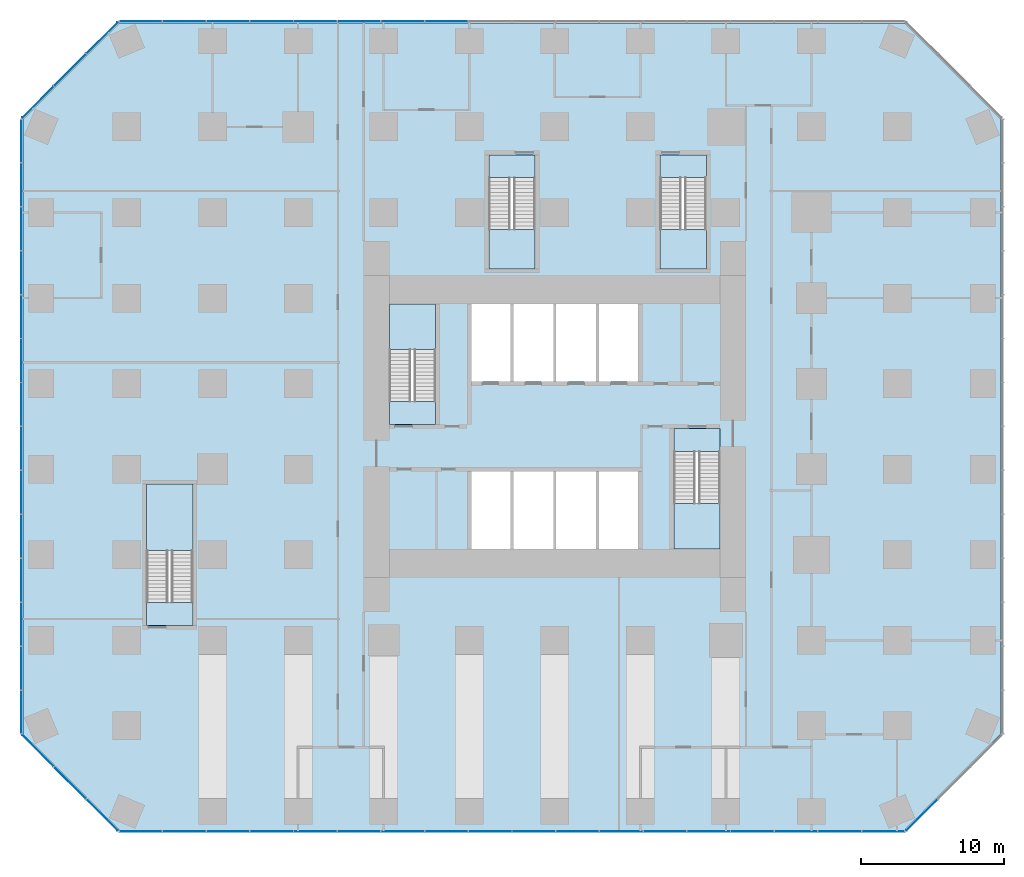
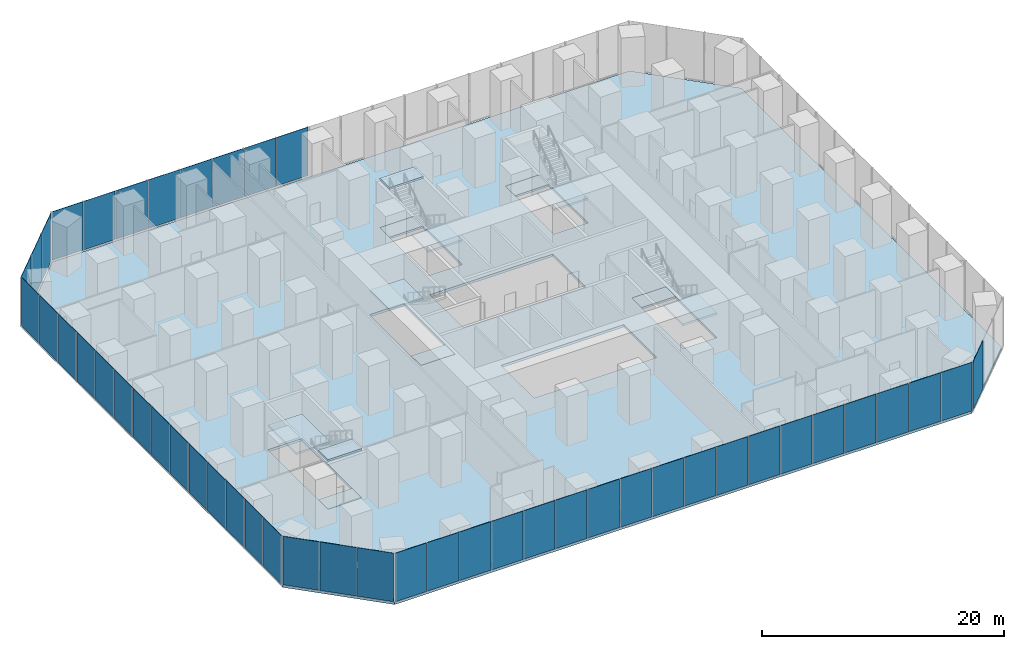
# One storey, part 9 of 15: 47 plates, 13 slabs, 11 elements without a shape of their own.
"""IFC4 building model written with IfcOpenShell, lengths in metres."""

from ifc_helpers import new_model, si_unit, direction, frame, origin, origin_2d, place, context, subcontext, project, spatial, polyline, rectangle, outline, extrude, material, layer, layer_set, type_object, element, aggregate, save


model = new_model("IFC4")

# Units and contexts
model_context = context("Model", 3, precision=1e-05, world=origin(), true_north=direction((0.0, 1.0)))
body_context = subcontext(model_context, "Body", "Model", "MODEL_VIEW")
ifc_project = project(units=[si_unit("LENGTHUNIT", "METRE"), si_unit("AREAUNIT", "SQUARE_METRE"), si_unit("VOLUMEUNIT", "CUBIC_METRE"), si_unit("PLANEANGLEUNIT", "RADIAN"), si_unit("MASSUNIT", "GRAM", prefix="KILO")], contexts=[model_context])

# Site, building, storey
site_placement = place(None, origin())
site = spatial("IfcSite", under=ifc_project, at=site_placement, CompositionType="ELEMENT")
building_placement = place(site_placement, origin())
building = spatial("IfcBuilding", under=site, at=building_placement, Name="Highveld Stack Headquarters", CompositionType="ELEMENT")
storey_placement = place(building_placement, frame((0.0, 0.0, 6.0)))
storey = spatial("IfcBuildingStorey", under=building, at=storey_placement, Name="L01", CompositionType="ELEMENT", Elevation=6.0)

# Curtain wall, plates
ifc_material_1 = material(Name="Aluminium bronze anodised", Category="aluminium")
ifc_layer_1 = layer(ifc_material_1, 0.199951171875)
ifc_layer_set_1 = layer_set([ifc_layer_1], Name="Aluminium bronze anodised")
curtain_wall_type = type_object("IfcCurtainWallType", Name="CW3 PODIUM STICK CURTAIN WALL", PredefinedType="NOTDEFINED", material=ifc_layer_set_1)
curtain_wall_1_placement = place(storey_placement, origin())
curtain_wall_1 = element("IfcCurtainWall", 1, at=curtain_wall_1_placement, inside=storey, type_object=curtain_wall_type, Name="Curtain wall CW3 L01 S", PredefinedType="NOTDEFINED")
ifc_material_2 = material(Name="Glass clear low-iron double glazed unit", Category="glass")
ifc_layer_2 = layer(ifc_material_2, 0.035888671875)
ifc_layer_set_2 = layer_set([ifc_layer_2], Name="Glass clear low-iron double glazed unit")
plate_type = type_object("IfcPlateType", Name="CW3 PANEL CLEAR LOW-IRON DOUBLE GLAZED UNIT", PredefinedType="CURTAIN_PANEL", material=ifc_layer_set_2)
plate_1_placement = place(storey_placement, frame((-23.031494140625, -25.39990234375, 0.10009765625), z_axis=(0.0, 0.0, 1.0), x_axis=(1.0, 0.0, 0.0)))
plate_1 = element("IfcPlate", 2, at=plate_1_placement, type_object=plate_type, Name="CW3 panel L01 1.1", PredefinedType="CURTAIN_PANEL", context=body_context, shape_type="SweptSolid", body=[
    extrude(rectangle(XDim=2.966796875, YDim=0.035888671875, at=origin_2d()), origin(), (0.0, 0.0, 1.0), 4.89990234375),
])
plate_2_placement = place(storey_placement, frame((-19.983154296875, -25.39990234375, 0.10009765625), z_axis=(0.0, 0.0, 1.0), x_axis=(1.0, 0.0, 0.0)))
plate_2 = element("IfcPlate", 3, at=plate_2_placement, type_object=plate_type, Name="CW3 panel L01 2.1", PredefinedType="CURTAIN_PANEL", context=body_context, shape_type="SweptSolid", body=[
    extrude(rectangle(XDim=2.99951171875, YDim=0.035888671875, at=origin_2d()), origin(), (0.0, 0.0, 1.0), 4.89990234375),
])
plate_3_placement = place(storey_placement, frame((-16.918701171875, -25.39990234375, 0.10009765625), z_axis=(0.0, 0.0, 1.0), x_axis=(1.0, 0.0, 0.0)))
plate_3 = element("IfcPlate", 4, at=plate_3_placement, type_object=plate_type, Name="CW3 panel L01 3.1", PredefinedType="CURTAIN_PANEL", context=body_context, shape_type="SweptSolid", body=[
    extrude(rectangle(XDim=2.99951171875, YDim=0.035888671875, at=origin_2d()), origin(), (0.0, 0.0, 1.0), 4.89990234375),
])
plate_4_placement = place(storey_placement, frame((-13.8544921875, -25.39990234375, 0.10009765625), z_axis=(0.0, 0.0, 1.0), x_axis=(1.0, 0.0, 0.0)))
plate_4 = element("IfcPlate", 5, at=plate_4_placement, type_object=plate_type, Name="CW3 panel L01 4.1", PredefinedType="CURTAIN_PANEL", context=body_context, shape_type="SweptSolid", body=[
    extrude(rectangle(XDim=2.99951171875, YDim=0.035888671875, at=origin_2d()), origin(), (0.0, 0.0, 1.0), 4.89990234375),
])
plate_5_placement = place(storey_placement, frame((-10.789794921875, -25.39990234375, 0.10009765625), z_axis=(0.0, 0.0, 1.0), x_axis=(1.0, 0.0, 0.0)))
plate_5 = element("IfcPlate", 6, at=plate_5_placement, type_object=plate_type, Name="CW3 panel L01 5.1", PredefinedType="CURTAIN_PANEL", context=body_context, shape_type="SweptSolid", body=[
    extrude(rectangle(XDim=2.99951171875, YDim=0.035888671875, at=origin_2d()), origin(), (0.0, 0.0, 1.0), 4.89990234375),
])
plate_6_placement = place(storey_placement, frame((-7.7255859375, -25.39990234375, 0.10009765625), z_axis=(0.0, 0.0, 1.0), x_axis=(1.0, 0.0, 0.0)))
plate_6 = element("IfcPlate", 7, at=plate_6_placement, type_object=plate_type, Name="CW3 panel L01 6.1", PredefinedType="CURTAIN_PANEL", context=body_context, shape_type="SweptSolid", body=[
    extrude(rectangle(XDim=2.99951171875, YDim=0.035888671875, at=origin_2d()), origin(), (0.0, 0.0, 1.0), 4.89990234375),
])
plate_7_placement = place(storey_placement, frame((-4.6611328125, -25.39990234375, 0.10009765625), z_axis=(0.0, 0.0, 1.0), x_axis=(1.0, 0.0, 0.0)))
plate_7 = element("IfcPlate", 8, at=plate_7_placement, type_object=plate_type, Name="CW3 panel L01 7.1", PredefinedType="CURTAIN_PANEL", context=body_context, shape_type="SweptSolid", body=[
    extrude(rectangle(XDim=2.99951171875, YDim=0.035888671875, at=origin_2d()), origin(), (0.0, 0.0, 1.0), 4.89990234375),
])
plate_8_placement = place(storey_placement, frame((-1.5966796875, -25.39990234375, 0.10009765625), z_axis=(0.0, 0.0, 1.0), x_axis=(1.0, 0.0, 0.0)))
plate_8 = element("IfcPlate", 9, at=plate_8_placement, type_object=plate_type, Name="CW3 panel L01 8.1", PredefinedType="CURTAIN_PANEL", context=body_context, shape_type="SweptSolid", body=[
    extrude(rectangle(XDim=2.99951171875, YDim=0.035888671875, at=origin_2d()), origin(), (0.0, 0.0, 1.0), 4.89990234375),
])
plate_9_placement = place(storey_placement, frame((1.4677734375, -25.39990234375, 0.10009765625), z_axis=(0.0, 0.0, 1.0), x_axis=(1.0, 0.0, 0.0)))
plate_9 = element("IfcPlate", 10, at=plate_9_placement, type_object=plate_type, Name="CW3 panel L01 9.1", PredefinedType="CURTAIN_PANEL", context=body_context, shape_type="SweptSolid", body=[
    extrude(rectangle(XDim=2.99951171875, YDim=0.035888671875, at=origin_2d()), origin(), (0.0, 0.0, 1.0), 4.89990234375),
])
plate_10_placement = place(storey_placement, frame((4.5322265625, -25.39990234375, 0.10009765625), z_axis=(0.0, 0.0, 1.0), x_axis=(1.0, 0.0, 0.0)))
plate_10 = element("IfcPlate", 11, at=plate_10_placement, type_object=plate_type, Name="CW3 panel L01 10.1", PredefinedType="CURTAIN_PANEL", context=body_context, shape_type="SweptSolid", body=[
    extrude(rectangle(XDim=2.99951171875, YDim=0.035888671875, at=origin_2d()), origin(), (0.0, 0.0, 1.0), 4.89990234375),
])
plate_11_placement = place(storey_placement, frame((7.5966796875, -25.39990234375, 0.10009765625), z_axis=(0.0, 0.0, 1.0), x_axis=(1.0, 0.0, 0.0)))
plate_11 = element("IfcPlate", 12, at=plate_11_placement, type_object=plate_type, Name="CW3 panel L01 11.1", PredefinedType="CURTAIN_PANEL", context=body_context, shape_type="SweptSolid", body=[
    extrude(rectangle(XDim=2.99951171875, YDim=0.035888671875, at=origin_2d()), origin(), (0.0, 0.0, 1.0), 4.89990234375),
])
plate_12_placement = place(storey_placement, frame((10.6611328125, -25.39990234375, 0.10009765625), z_axis=(0.0, 0.0, 1.0), x_axis=(1.0, 0.0, 0.0)))
plate_12 = element("IfcPlate", 13, at=plate_12_placement, type_object=plate_type, Name="CW3 panel L01 12.1", PredefinedType="CURTAIN_PANEL", context=body_context, shape_type="SweptSolid", body=[
    extrude(rectangle(XDim=2.99951171875, YDim=0.035888671875, at=origin_2d()), origin(), (0.0, 0.0, 1.0), 4.89990234375),
])
plate_13_placement = place(storey_placement, frame((13.7255859375, -25.39990234375, 0.10009765625), z_axis=(0.0, 0.0, 1.0), x_axis=(1.0, 0.0, 0.0)))
plate_13 = element("IfcPlate", 14, at=plate_13_placement, type_object=plate_type, Name="CW3 panel L01 13.1", PredefinedType="CURTAIN_PANEL", context=body_context, shape_type="SweptSolid", body=[
    extrude(rectangle(XDim=2.99951171875, YDim=0.035888671875, at=origin_2d()), origin(), (0.0, 0.0, 1.0), 4.89990234375),
])
plate_14_placement = place(storey_placement, frame((16.7900390625, -25.39990234375, 0.10009765625), z_axis=(0.0, 0.0, 1.0), x_axis=(1.0, 0.0, 0.0)))
plate_14 = element("IfcPlate", 15, at=plate_14_placement, type_object=plate_type, Name="CW3 panel L01 14.1", PredefinedType="CURTAIN_PANEL", context=body_context, shape_type="SweptSolid", body=[
    extrude(rectangle(XDim=2.99951171875, YDim=0.035888671875, at=origin_2d()), origin(), (0.0, 0.0, 1.0), 4.89990234375),
])
plate_15_placement = place(storey_placement, frame((19.8544921875, -25.39990234375, 0.10009765625), z_axis=(0.0, 0.0, 1.0), x_axis=(1.0, 0.0, 0.0)))
plate_15 = element("IfcPlate", 16, at=plate_15_placement, type_object=plate_type, Name="CW3 panel L01 15.1", PredefinedType="CURTAIN_PANEL", context=body_context, shape_type="SweptSolid", body=[
    extrude(rectangle(XDim=2.99951171875, YDim=0.035888671875, at=origin_2d()), origin(), (0.0, 0.0, 1.0), 4.89990234375),
])
plate_16_placement = place(storey_placement, frame((22.918701171875, -25.39990234375, 0.10009765625), z_axis=(0.0, 0.0, 1.0), x_axis=(1.0, 0.0, 0.0)))
plate_16 = element("IfcPlate", 17, at=plate_16_placement, type_object=plate_type, Name="CW3 panel L01 16.1", PredefinedType="CURTAIN_PANEL", context=body_context, shape_type="SweptSolid", body=[
    extrude(rectangle(XDim=2.99951171875, YDim=0.035888671875, at=origin_2d()), origin(), (0.0, 0.0, 1.0), 4.89990234375),
])
plate_17_placement = place(storey_placement, frame((25.983154296875, -25.39990234375, 0.10009765625), z_axis=(0.0, 0.0, 1.0), x_axis=(1.0, 0.0, 0.0)))
plate_17 = element("IfcPlate", 18, at=plate_17_placement, type_object=plate_type, Name="CW3 panel L01 17.1", PredefinedType="CURTAIN_PANEL", context=body_context, shape_type="SweptSolid", body=[
    extrude(rectangle(XDim=2.99951171875, YDim=0.035888671875, at=origin_2d()), origin(), (0.0, 0.0, 1.0), 4.89990234375),
])
plate_18_placement = place(storey_placement, frame((29.031494140625, -25.39990234375, 0.10009765625), z_axis=(0.0, 0.0, 1.0), x_axis=(1.0, 0.0, 0.0)))
plate_18 = element("IfcPlate", 19, at=plate_18_placement, type_object=plate_type, Name="CW3 panel L01 18.1", PredefinedType="CURTAIN_PANEL", context=body_context, shape_type="SweptSolid", body=[
    extrude(rectangle(XDim=2.966796875, YDim=0.035888671875, at=origin_2d()), origin(), (0.0, 0.0, 1.0), 4.89990234375),
])
aggregate(curtain_wall_1, [plate_1, plate_2, plate_3, plate_4, plate_5, plate_6, plate_7, plate_8, plate_9, plate_10, plate_11, plate_12, plate_13, plate_14, plate_15, plate_16, plate_17, plate_18])

# Curtain wall, plate
curtain_wall_2_placement = place(storey_placement, origin())
curtain_wall_2 = element("IfcCurtainWall", 20, at=curtain_wall_2_placement, inside=storey, type_object=curtain_wall_type, Name="Curtain wall CW3 L01 SE", PredefinedType="NOTDEFINED")
plate_19_placement = place(storey_placement, frame((31.740478515625, -24.239501953125, 0.10009765625), z_axis=(0.0, 0.0, 1.0), x_axis=(0.707106781187, 0.707106781187, 0.0)))
plate_19 = element("IfcPlate", 21, at=plate_19_placement, type_object=plate_type, Name="CW3 panel L01 1.1", PredefinedType="CURTAIN_PANEL", context=body_context, shape_type="SweptSolid", body=[
    extrude(rectangle(XDim=3.08251953125, YDim=0.035888671875, at=origin_2d()), origin(), (0.0, 0.0, 1.0), 4.89990234375),
])
aggregate(curtain_wall_2, [plate_19])

# Curtain wall, plates
curtain_wall_3_placement = place(storey_placement, origin())
curtain_wall_3 = element("IfcCurtainWall", 22, at=curtain_wall_3_placement, inside=storey, type_object=curtain_wall_type, Name="Curtain wall CW3 L01 N", PredefinedType="NOTDEFINED")
plate_20_placement = place(storey_placement, frame((-1.5966796875, 31.39990234375, 0.10009765625), z_axis=(0.0, 0.0, 1.0), x_axis=(-1.0, 0.0, 0.0)))
plate_20 = element("IfcPlate", 23, at=plate_20_placement, type_object=plate_type, Name="CW3 panel L01 11.1", PredefinedType="CURTAIN_PANEL", context=body_context, shape_type="SweptSolid", body=[
    extrude(rectangle(XDim=2.99951171875, YDim=0.035888671875, at=origin_2d()), origin(), (0.0, 0.0, 1.0), 4.89990234375),
])
plate_21_placement = place(storey_placement, frame((-4.6611328125, 31.39990234375, 0.10009765625), z_axis=(0.0, 0.0, 1.0), x_axis=(-1.0, 0.0, 0.0)))
plate_21 = element("IfcPlate", 24, at=plate_21_placement, type_object=plate_type, Name="CW3 panel L01 12.1", PredefinedType="CURTAIN_PANEL", context=body_context, shape_type="SweptSolid", body=[
    extrude(rectangle(XDim=2.99951171875, YDim=0.035888671875, at=origin_2d()), origin(), (0.0, 0.0, 1.0), 4.89990234375),
])
plate_22_placement = place(storey_placement, frame((-7.7255859375, 31.39990234375, 0.10009765625), z_axis=(0.0, 0.0, 1.0), x_axis=(-1.0, 0.0, 0.0)))
plate_22 = element("IfcPlate", 25, at=plate_22_placement, type_object=plate_type, Name="CW3 panel L01 13.1", PredefinedType="CURTAIN_PANEL", context=body_context, shape_type="SweptSolid", body=[
    extrude(rectangle(XDim=2.99951171875, YDim=0.035888671875, at=origin_2d()), origin(), (0.0, 0.0, 1.0), 4.89990234375),
])
plate_23_placement = place(storey_placement, frame((-10.7900390625, 31.39990234375, 0.10009765625), z_axis=(0.0, 0.0, 1.0), x_axis=(-1.0, 0.0, 0.0)))
plate_23 = element("IfcPlate", 26, at=plate_23_placement, type_object=plate_type, Name="CW3 panel L01 14.1", PredefinedType="CURTAIN_PANEL", context=body_context, shape_type="SweptSolid", body=[
    extrude(rectangle(XDim=2.99951171875, YDim=0.035888671875, at=origin_2d()), origin(), (0.0, 0.0, 1.0), 4.89990234375),
])
plate_24_placement = place(storey_placement, frame((-13.8544921875, 31.39990234375, 0.10009765625), z_axis=(0.0, 0.0, 1.0), x_axis=(-1.0, 0.0, 0.0)))
plate_24 = element("IfcPlate", 27, at=plate_24_placement, type_object=plate_type, Name="CW3 panel L01 15.1", PredefinedType="CURTAIN_PANEL", context=body_context, shape_type="SweptSolid", body=[
    extrude(rectangle(XDim=2.99951171875, YDim=0.035888671875, at=origin_2d()), origin(), (0.0, 0.0, 1.0), 4.89990234375),
])
plate_25_placement = place(storey_placement, frame((-16.918701171875, 31.39990234375, 0.10009765625), z_axis=(0.0, 0.0, 1.0), x_axis=(-1.0, 0.0, 0.0)))
plate_25 = element("IfcPlate", 28, at=plate_25_placement, type_object=plate_type, Name="CW3 panel L01 16.1", PredefinedType="CURTAIN_PANEL", context=body_context, shape_type="SweptSolid", body=[
    extrude(rectangle(XDim=2.99951171875, YDim=0.035888671875, at=origin_2d()), origin(), (0.0, 0.0, 1.0), 4.89990234375),
])
plate_26_placement = place(storey_placement, frame((-19.983154296875, 31.39990234375, 0.10009765625), z_axis=(0.0, 0.0, 1.0), x_axis=(-1.0, 0.0, 0.0)))
plate_26 = element("IfcPlate", 29, at=plate_26_placement, type_object=plate_type, Name="CW3 panel L01 17.1", PredefinedType="CURTAIN_PANEL", context=body_context, shape_type="SweptSolid", body=[
    extrude(rectangle(XDim=2.99951171875, YDim=0.035888671875, at=origin_2d()), origin(), (0.0, 0.0, 1.0), 4.89990234375),
])
plate_27_placement = place(storey_placement, frame((-23.031494140625, 31.39990234375, 0.10009765625), z_axis=(0.0, 0.0, 1.0), x_axis=(-1.0, 0.0, 0.0)))
plate_27 = element("IfcPlate", 30, at=plate_27_placement, type_object=plate_type, Name="CW3 panel L01 18.1", PredefinedType="CURTAIN_PANEL", context=body_context, shape_type="SweptSolid", body=[
    extrude(rectangle(XDim=2.966796875, YDim=0.035888671875, at=origin_2d()), origin(), (0.0, 0.0, 1.0), 4.89990234375),
])
aggregate(curtain_wall_3, [plate_20, plate_21, plate_22, plate_23, plate_24, plate_25, plate_26, plate_27])

curtain_wall_4_placement = place(storey_placement, origin())
curtain_wall_4 = element("IfcCurtainWall", 31, at=curtain_wall_4_placement, inside=storey, type_object=curtain_wall_type, Name="Curtain wall CW3 L01 NW", PredefinedType="NOTDEFINED")
plate_28_placement = place(storey_placement, frame((-25.740478515625, 30.239501953125, 0.10009765625), z_axis=(0.0, 0.0, 1.0), x_axis=(-0.707106781187, -0.707106781187, 0.0)))
plate_28 = element("IfcPlate", 32, at=plate_28_placement, type_object=plate_type, Name="CW3 panel L01 1.1", PredefinedType="CURTAIN_PANEL", context=body_context, shape_type="SweptSolid", body=[
    extrude(rectangle(XDim=3.08251953125, YDim=0.035888671875, at=origin_2d()), origin(), (0.0, 0.0, 1.0), 4.89990234375),
])
plate_29_placement = place(storey_placement, frame((-27.989990234375, 27.989990234375, 0.10009765625), z_axis=(0.0, 0.0, 1.0), x_axis=(-0.707106781187, -0.707106781187, 0.0)))
plate_29 = element("IfcPlate", 33, at=plate_29_placement, type_object=plate_type, Name="CW3 panel L01 2.1", PredefinedType="CURTAIN_PANEL", context=body_context, shape_type="SweptSolid", body=[
    extrude(rectangle(XDim=3.14990234375, YDim=0.035888671875, at=origin_2d()), origin(), (0.0, 0.0, 1.0), 4.89990234375),
])
plate_30_placement = place(storey_placement, frame((-30.239501953125, 25.740478515625, 0.10009765625), z_axis=(0.0, 0.0, 1.0), x_axis=(-0.707106781187, -0.707106781187, 0.0)))
plate_30 = element("IfcPlate", 34, at=plate_30_placement, type_object=plate_type, Name="CW3 panel L01 3.1", PredefinedType="CURTAIN_PANEL", context=body_context, shape_type="SweptSolid", body=[
    extrude(rectangle(XDim=3.08251953125, YDim=0.035888671875, at=origin_2d()), origin(), (0.0, 0.0, 1.0), 4.89990234375),
])
aggregate(curtain_wall_4, [plate_28, plate_29, plate_30])

curtain_wall_5_placement = place(storey_placement, origin())
curtain_wall_5 = element("IfcCurtainWall", 35, at=curtain_wall_5_placement, inside=storey, type_object=curtain_wall_type, Name="Curtain wall CW3 L01 W", PredefinedType="NOTDEFINED")
plate_31_placement = place(storey_placement, frame((-31.39990234375, 23.022216796875, 0.10009765625), z_axis=(0.0, 0.0, 1.0), x_axis=(0.0, -1.0, 0.0)))
plate_31 = element("IfcPlate", 36, at=plate_31_placement, type_object=plate_type, Name="CW3 panel L01 1.1", PredefinedType="CURTAIN_PANEL", context=body_context, shape_type="SweptSolid", body=[
    extrude(rectangle(XDim=2.9853515625, YDim=0.035888671875, at=origin_2d()), origin(), (0.0, 0.0, 1.0), 4.89990234375),
])
plate_32_placement = place(storey_placement, frame((-31.39990234375, 19.95556640625, 0.10009765625), z_axis=(0.0, 0.0, 1.0), x_axis=(0.0, -1.0, 0.0)))
plate_32 = element("IfcPlate", 37, at=plate_32_placement, type_object=plate_type, Name="CW3 panel L01 2.1", PredefinedType="CURTAIN_PANEL", context=body_context, shape_type="SweptSolid", body=[
    extrude(rectangle(XDim=3.017822265625, YDim=0.035888671875, at=origin_2d()), origin(), (0.0, 0.0, 1.0), 4.89990234375),
])
plate_33_placement = place(storey_placement, frame((-31.39990234375, 16.872802734375, 0.10009765625), z_axis=(0.0, 0.0, 1.0), x_axis=(0.0, -1.0, 0.0)))
plate_33 = element("IfcPlate", 38, at=plate_33_placement, type_object=plate_type, Name="CW3 panel L01 3.1", PredefinedType="CURTAIN_PANEL", context=body_context, shape_type="SweptSolid", body=[
    extrude(rectangle(XDim=3.017822265625, YDim=0.035888671875, at=origin_2d()), origin(), (0.0, 0.0, 1.0), 4.89990234375),
])
plate_34_placement = place(storey_placement, frame((-31.39990234375, 13.789794921875, 0.10009765625), z_axis=(0.0, 0.0, 1.0), x_axis=(0.0, -1.0, 0.0)))
plate_34 = element("IfcPlate", 39, at=plate_34_placement, type_object=plate_type, Name="CW3 panel L01 4.1", PredefinedType="CURTAIN_PANEL", context=body_context, shape_type="SweptSolid", body=[
    extrude(rectangle(XDim=3.017822265625, YDim=0.035888671875, at=origin_2d()), origin(), (0.0, 0.0, 1.0), 4.89990234375),
])
plate_35_placement = place(storey_placement, frame((-31.39990234375, 10.70703125, 0.10009765625), z_axis=(0.0, 0.0, 1.0), x_axis=(0.0, -1.0, 0.0)))
plate_35 = element("IfcPlate", 40, at=plate_35_placement, type_object=plate_type, Name="CW3 panel L01 5.1", PredefinedType="CURTAIN_PANEL", context=body_context, shape_type="SweptSolid", body=[
    extrude(rectangle(XDim=3.017822265625, YDim=0.035888671875, at=origin_2d()), origin(), (0.0, 0.0, 1.0), 4.89990234375),
])
plate_36_placement = place(storey_placement, frame((-31.39990234375, 7.624267578125, 0.10009765625), z_axis=(0.0, 0.0, 1.0), x_axis=(0.0, -1.0, 0.0)))
plate_36 = element("IfcPlate", 41, at=plate_36_placement, type_object=plate_type, Name="CW3 panel L01 6.1", PredefinedType="CURTAIN_PANEL", context=body_context, shape_type="SweptSolid", body=[
    extrude(rectangle(XDim=3.017822265625, YDim=0.035888671875, at=origin_2d()), origin(), (0.0, 0.0, 1.0), 4.89990234375),
])
plate_37_placement = place(storey_placement, frame((-31.39990234375, 4.54150390625, 0.10009765625), z_axis=(0.0, 0.0, 1.0), x_axis=(0.0, -1.0, 0.0)))
plate_37 = element("IfcPlate", 42, at=plate_37_placement, type_object=plate_type, Name="CW3 panel L01 7.1", PredefinedType="CURTAIN_PANEL", context=body_context, shape_type="SweptSolid", body=[
    extrude(rectangle(XDim=3.017822265625, YDim=0.035888671875, at=origin_2d()), origin(), (0.0, 0.0, 1.0), 4.89990234375),
])
plate_38_placement = place(storey_placement, frame((-31.39990234375, 1.45849609375, 0.10009765625), z_axis=(0.0, 0.0, 1.0), x_axis=(0.0, -1.0, 0.0)))
plate_38 = element("IfcPlate", 43, at=plate_38_placement, type_object=plate_type, Name="CW3 panel L01 8.1", PredefinedType="CURTAIN_PANEL", context=body_context, shape_type="SweptSolid", body=[
    extrude(rectangle(XDim=3.017822265625, YDim=0.035888671875, at=origin_2d()), origin(), (0.0, 0.0, 1.0), 4.89990234375),
])
plate_39_placement = place(storey_placement, frame((-31.39990234375, -1.624267578125, 0.10009765625), z_axis=(0.0, 0.0, 1.0), x_axis=(0.0, -1.0, 0.0)))
plate_39 = element("IfcPlate", 44, at=plate_39_placement, type_object=plate_type, Name="CW3 panel L01 9.1", PredefinedType="CURTAIN_PANEL", context=body_context, shape_type="SweptSolid", body=[
    extrude(rectangle(XDim=3.017822265625, YDim=0.035888671875, at=origin_2d()), origin(), (0.0, 0.0, 1.0), 4.89990234375),
])
plate_40_placement = place(storey_placement, frame((-31.39990234375, -4.70703125, 0.10009765625), z_axis=(0.0, 0.0, 1.0), x_axis=(0.0, -1.0, 0.0)))
plate_40 = element("IfcPlate", 45, at=plate_40_placement, type_object=plate_type, Name="CW3 panel L01 10.1", PredefinedType="CURTAIN_PANEL", context=body_context, shape_type="SweptSolid", body=[
    extrude(rectangle(XDim=3.017822265625, YDim=0.035888671875, at=origin_2d()), origin(), (0.0, 0.0, 1.0), 4.89990234375),
])
plate_41_placement = place(storey_placement, frame((-31.39990234375, -7.7900390625, 0.10009765625), z_axis=(0.0, 0.0, 1.0), x_axis=(0.0, -1.0, 0.0)))
plate_41 = element("IfcPlate", 46, at=plate_41_placement, type_object=plate_type, Name="CW3 panel L01 11.1", PredefinedType="CURTAIN_PANEL", context=body_context, shape_type="SweptSolid", body=[
    extrude(rectangle(XDim=3.017822265625, YDim=0.035888671875, at=origin_2d()), origin(), (0.0, 0.0, 1.0), 4.89990234375),
])
plate_42_placement = place(storey_placement, frame((-31.39990234375, -10.872802734375, 0.10009765625), z_axis=(0.0, 0.0, 1.0), x_axis=(0.0, -1.0, 0.0)))
plate_42 = element("IfcPlate", 47, at=plate_42_placement, type_object=plate_type, Name="CW3 panel L01 12.1", PredefinedType="CURTAIN_PANEL", context=body_context, shape_type="SweptSolid", body=[
    extrude(rectangle(XDim=3.017822265625, YDim=0.035888671875, at=origin_2d()), origin(), (0.0, 0.0, 1.0), 4.89990234375),
])
plate_43_placement = place(storey_placement, frame((-31.39990234375, -13.95556640625, 0.10009765625), z_axis=(0.0, 0.0, 1.0), x_axis=(0.0, -1.0, 0.0)))
plate_43 = element("IfcPlate", 48, at=plate_43_placement, type_object=plate_type, Name="CW3 panel L01 13.1", PredefinedType="CURTAIN_PANEL", context=body_context, shape_type="SweptSolid", body=[
    extrude(rectangle(XDim=3.017822265625, YDim=0.035888671875, at=origin_2d()), origin(), (0.0, 0.0, 1.0), 4.89990234375),
])
plate_44_placement = place(storey_placement, frame((-31.39990234375, -17.022216796875, 0.10009765625), z_axis=(0.0, 0.0, 1.0), x_axis=(0.0, -1.0, 0.0)))
plate_44 = element("IfcPlate", 49, at=plate_44_placement, type_object=plate_type, Name="CW3 panel L01 14.1", PredefinedType="CURTAIN_PANEL", context=body_context, shape_type="SweptSolid", body=[
    extrude(rectangle(XDim=2.9853515625, YDim=0.035888671875, at=origin_2d()), origin(), (0.0, 0.0, 1.0), 4.89990234375),
])
aggregate(curtain_wall_5, [plate_31, plate_32, plate_33, plate_34, plate_35, plate_36, plate_37, plate_38, plate_39, plate_40, plate_41, plate_42, plate_43, plate_44])

curtain_wall_6_placement = place(storey_placement, origin())
curtain_wall_6 = element("IfcCurtainWall", 50, at=curtain_wall_6_placement, inside=storey, type_object=curtain_wall_type, Name="Curtain wall CW3 L01 SW", PredefinedType="NOTDEFINED")
plate_45_placement = place(storey_placement, frame((-30.239501953125, -19.740478515625, 0.10009765625), z_axis=(0.0, 0.0, 1.0), x_axis=(0.707106781187, -0.707106781187, 0.0)))
plate_45 = element("IfcPlate", 51, at=plate_45_placement, type_object=plate_type, Name="CW3 panel L01 1.1", PredefinedType="CURTAIN_PANEL", context=body_context, shape_type="SweptSolid", body=[
    extrude(rectangle(XDim=3.08251953125, YDim=0.035888671875, at=origin_2d()), origin(), (0.0, 0.0, 1.0), 4.89990234375),
])
plate_46_placement = place(storey_placement, frame((-27.989990234375, -21.989990234375, 0.10009765625), z_axis=(0.0, 0.0, 1.0), x_axis=(0.707106781187, -0.707106781187, 0.0)))
plate_46 = element("IfcPlate", 52, at=plate_46_placement, type_object=plate_type, Name="CW3 panel L01 2.1", PredefinedType="CURTAIN_PANEL", context=body_context, shape_type="SweptSolid", body=[
    extrude(rectangle(XDim=3.14990234375, YDim=0.035888671875, at=origin_2d()), origin(), (0.0, 0.0, 1.0), 4.89990234375),
])
plate_47_placement = place(storey_placement, frame((-25.740478515625, -24.239501953125, 0.10009765625), z_axis=(0.0, 0.0, 1.0), x_axis=(0.707106781187, -0.707106781187, 0.0)))
plate_47 = element("IfcPlate", 53, at=plate_47_placement, type_object=plate_type, Name="CW3 panel L01 3.1", PredefinedType="CURTAIN_PANEL", context=body_context, shape_type="SweptSolid", body=[
    extrude(rectangle(XDim=3.08251953125, YDim=0.035888671875, at=origin_2d()), origin(), (0.0, 0.0, 1.0), 4.89990234375),
])
aggregate(curtain_wall_6, [plate_45, plate_46, plate_47])

# Slab
ifc_material_3 = material(Name="Concrete C60/75", Category="concrete")
ifc_layer_3 = layer(ifc_material_3, 0.25)
ifc_layer_set_3 = layer_set([ifc_layer_3], Name="Concrete C60/75")
slab_type_1 = type_object("IfcSlabType", Name="PT FLAT SLAB 250", PredefinedType="FLOOR", material=ifc_layer_set_3)
slab_1_placement = place(storey_placement, frame((0.0, 0.0, -0.25)))
element("IfcSlab", 54, at=slab_1_placement, inside=storey, type_object=slab_type_1, Name="Floor slab L01", PredefinedType="FLOOR", context=body_context, shape_type="SweptSolid", body=[
    extrude(outline(polyline([(-24.53857421875, -25.300048828125), (30.53857421875, -25.300048828125), (37.300048828125, -18.53857421875), (37.300048828125, 24.53857421875), (30.53857421875, 31.300048828125), (-24.53857421875, 31.300048828125), (-31.300048828125, 24.53857421875), (-31.300048828125, -18.53857421875), (-24.53857421875, -25.300048828125)]), holes=[polyline([(0.14990234375, 6.14990234375), (11.85009765625, 6.14990234375), (11.85009765625, 11.60009765625), (0.14990234375, 11.60009765625), (0.14990234375, 6.14990234375)]), polyline([(0.14990234375, -5.60009765625), (11.85009765625, -5.60009765625), (11.85009765625, -0.14990234375), (0.14990234375, -0.14990234375), (0.14990234375, -5.60009765625)]), polyline([(-5.60009765625, 3.14990234375), (-2.35009765625, 3.14990234375), (-2.35009765625, 11.60009765625), (-5.60009765625, 11.60009765625), (-5.60009765625, 3.14990234375)]), polyline([(14.35009765625, -5.60009765625), (17.60009765625, -5.60009765625), (17.60009765625, 2.85009765625), (14.35009765625, 2.85009765625), (14.35009765625, -5.60009765625)]), polyline([(-22.625, -10.949951171875), (-19.375, -10.949951171875), (-19.375, -1.050048828125), (-22.625, -1.050048828125), (-22.625, -10.949951171875)]), polyline([(13.375, 14.050048828125), (16.625, 14.050048828125), (16.625, 22.050048828125), (13.375, 22.050048828125), (13.375, 14.050048828125)]), polyline([(1.375, 14.050048828125), (4.625, 14.050048828125), (4.625, 22.050048828125), (1.375, 22.050048828125), (1.375, 14.050048828125)])]), origin(), (0.0, 0.0, 1.0), 0.25),
])

# Stair, slabs
ifc_material_4 = material(Name="Concrete C40/50, precast", Category="concrete")
stair_type_1 = type_object("IfcStairType", Name="STAIR S1 HALF TURN 1500", PredefinedType="HALF_TURN_STAIR", material=ifc_material_4)
stair_1_placement = place(storey_placement, origin())
stair_1 = element("IfcStair", 55, at=stair_1_placement, inside=storey, type_object=stair_type_1, Name="Stair S1 L01", PredefinedType="HALF_TURN_STAIR")
ifc_material_5 = material(Name="Concrete C40/50, precast", Category="concrete")
ifc_layer_4 = layer(ifc_material_5, 0.199951171875)
ifc_layer_set_4 = layer_set([ifc_layer_4], Name="Concrete C40/50, precast")
slab_type_2 = type_object("IfcSlabType", Name="STAIR LANDING 200", PredefinedType="LANDING", material=ifc_layer_set_4)
slab_2_placement = place(storey_placement, frame((0.0, 0.0, 2.300048828125)))
slab_2 = element("IfcSlab", 56, at=slab_2_placement, type_object=slab_type_2, Name="S1 landing 1", PredefinedType="LANDING", context=body_context, shape_type="SweptSolid", body=[
    extrude(outline(polyline([(-5.60009765625, 8.389892578125), (-2.35009765625, 8.389892578125), (-2.35009765625, 11.60009765625), (-5.60009765625, 11.60009765625), (-5.60009765625, 8.389892578125)])), origin(), (0.0, 0.0, 1.0), 0.199951171875),
])
slab_3_placement = place(storey_placement, frame((0.0, 0.0, -0.199951171875)))
slab_3 = element("IfcSlab", 57, at=slab_3_placement, type_object=slab_type_2, Name="S1 landing 2", PredefinedType="LANDING", context=body_context, shape_type="SweptSolid", body=[
    extrude(outline(polyline([(-5.60009765625, 3.14990234375), (-2.35009765625, 3.14990234375), (-2.35009765625, 4.75), (-5.60009765625, 4.75), (-5.60009765625, 3.14990234375)])), origin(), (0.0, 0.0, 1.0), 0.199951171875),
])
aggregate(stair_1, [slab_2, slab_3])

ifc_material_6 = material(Name="Concrete C40/50, precast", Category="concrete")
stair_type_2 = type_object("IfcStairType", Name="STAIR S2 HALF TURN 1500", PredefinedType="HALF_TURN_STAIR", material=ifc_material_6)
stair_2_placement = place(storey_placement, origin())
stair_2 = element("IfcStair", 58, at=stair_2_placement, inside=storey, type_object=stair_type_2, Name="Stair S2 L01", PredefinedType="HALF_TURN_STAIR")
slab_4_placement = place(storey_placement, frame((0.0, 0.0, 2.300048828125)))
slab_4 = element("IfcSlab", 59, at=slab_4_placement, type_object=slab_type_2, Name="S2 landing 1", PredefinedType="LANDING", context=body_context, shape_type="SweptSolid", body=[
    extrude(outline(polyline([(14.35009765625, -5.60009765625), (17.60009765625, -5.60009765625), (17.60009765625, -2.389892578125), (14.35009765625, -2.389892578125), (14.35009765625, -5.60009765625)])), origin(), (0.0, 0.0, 1.0), 0.199951171875),
])
slab_5_placement = place(storey_placement, frame((0.0, 0.0, -0.199951171875)))
slab_5 = element("IfcSlab", 60, at=slab_5_placement, type_object=slab_type_2, Name="S2 landing 2", PredefinedType="LANDING", context=body_context, shape_type="SweptSolid", body=[
    extrude(outline(polyline([(14.35009765625, 1.25), (17.60009765625, 1.25), (17.60009765625, 2.85009765625), (14.35009765625, 2.85009765625), (14.35009765625, 1.25)])), origin(), (0.0, 0.0, 1.0), 0.199951171875),
])
aggregate(stair_2, [slab_4, slab_5])

ifc_material_7 = material(Name="Concrete C40/50, precast", Category="concrete")
stair_type_3 = type_object("IfcStairType", Name="STAIR PS1 HALF TURN 1500", PredefinedType="HALF_TURN_STAIR", material=ifc_material_7)
stair_3_placement = place(storey_placement, origin())
stair_3 = element("IfcStair", 61, at=stair_3_placement, inside=storey, type_object=stair_type_3, Name="Stair PS1 L01", PredefinedType="HALF_TURN_STAIR")
slab_6_placement = place(storey_placement, frame((0.0, 0.0, 2.300048828125)))
slab_6 = element("IfcSlab", 62, at=slab_6_placement, type_object=slab_type_2, Name="PS1 landing 1", PredefinedType="LANDING", context=body_context, shape_type="SweptSolid", body=[
    extrude(outline(polyline([(-22.625, -5.7099609375), (-19.375, -5.7099609375), (-19.375, -1.050048828125), (-22.625, -1.050048828125), (-22.625, -5.7099609375)])), origin(), (0.0, 0.0, 1.0), 0.199951171875),
])
slab_7_placement = place(storey_placement, frame((0.0, 0.0, -0.199951171875)))
slab_7 = element("IfcSlab", 63, at=slab_7_placement, type_object=slab_type_2, Name="PS1 landing 2", PredefinedType="LANDING", context=body_context, shape_type="SweptSolid", body=[
    extrude(outline(polyline([(-22.625, -10.949951171875), (-19.375, -10.949951171875), (-19.375, -9.35009765625), (-22.625, -9.35009765625), (-22.625, -10.949951171875)])), origin(), (0.0, 0.0, 1.0), 0.199951171875),
])
slab_8_placement = place(storey_placement, frame((0.0, 0.0, 4.800048828125)))
slab_8 = element("IfcSlab", 64, at=slab_8_placement, type_object=slab_type_2, Name="PS1 landing 3", PredefinedType="LANDING", context=body_context, shape_type="SweptSolid", body=[
    extrude(outline(polyline([(-22.625, -10.949951171875), (-19.375, -10.949951171875), (-19.375, -9.35009765625), (-22.625, -9.35009765625), (-22.625, -10.949951171875)])), origin(), (0.0, 0.0, 1.0), 0.199951171875),
])
aggregate(stair_3, [slab_6, slab_7, slab_8])

ifc_material_8 = material(Name="Concrete C40/50, precast", Category="concrete")
stair_type_4 = type_object("IfcStairType", Name="STAIR PS2 HALF TURN 1500", PredefinedType="HALF_TURN_STAIR", material=ifc_material_8)
stair_4_placement = place(storey_placement, origin())
stair_4 = element("IfcStair", 65, at=stair_4_placement, inside=storey, type_object=stair_type_4, Name="Stair PS2 L01", PredefinedType="HALF_TURN_STAIR")
slab_9_placement = place(storey_placement, frame((0.0, 0.0, 2.300048828125)))
slab_9 = element("IfcSlab", 66, at=slab_9_placement, type_object=slab_type_2, Name="PS2 landing 1", PredefinedType="LANDING", context=body_context, shape_type="SweptSolid", body=[
    extrude(outline(polyline([(13.375, 14.050048828125), (16.625, 14.050048828125), (16.625, 16.81005859375), (13.375, 16.81005859375), (13.375, 14.050048828125)])), origin(), (0.0, 0.0, 1.0), 0.199951171875),
])
slab_10_placement = place(storey_placement, frame((0.0, 0.0, -0.199951171875)))
slab_10 = element("IfcSlab", 67, at=slab_10_placement, type_object=slab_type_2, Name="PS2 landing 2", PredefinedType="LANDING", context=body_context, shape_type="SweptSolid", body=[
    extrude(outline(polyline([(13.375, 20.449951171875), (16.625, 20.449951171875), (16.625, 22.050048828125), (13.375, 22.050048828125), (13.375, 20.449951171875)])), origin(), (0.0, 0.0, 1.0), 0.199951171875),
])
aggregate(stair_4, [slab_9, slab_10])

ifc_material_9 = material(Name="Concrete C40/50, precast", Category="concrete")
stair_type_5 = type_object("IfcStairType", Name="STAIR PS3 HALF TURN 1500", PredefinedType="HALF_TURN_STAIR", material=ifc_material_9)
stair_5_placement = place(storey_placement, origin())
stair_5 = element("IfcStair", 68, at=stair_5_placement, inside=storey, type_object=stair_type_5, Name="Stair PS3 L01", PredefinedType="HALF_TURN_STAIR")
slab_11_placement = place(storey_placement, frame((0.0, 0.0, 2.300048828125)))
slab_11 = element("IfcSlab", 69, at=slab_11_placement, type_object=slab_type_2, Name="PS3 landing 1", PredefinedType="LANDING", context=body_context, shape_type="SweptSolid", body=[
    extrude(outline(polyline([(1.375, 14.050048828125), (4.625, 14.050048828125), (4.625, 16.81005859375), (1.375, 16.81005859375), (1.375, 14.050048828125)])), origin(), (0.0, 0.0, 1.0), 0.199951171875),
])
slab_12_placement = place(storey_placement, frame((0.0, 0.0, -0.199951171875)))
slab_12 = element("IfcSlab", 70, at=slab_12_placement, type_object=slab_type_2, Name="PS3 landing 2", PredefinedType="LANDING", context=body_context, shape_type="SweptSolid", body=[
    extrude(outline(polyline([(1.375, 20.449951171875), (4.625, 20.449951171875), (4.625, 22.050048828125), (1.375, 22.050048828125), (1.375, 20.449951171875)])), origin(), (0.0, 0.0, 1.0), 0.199951171875),
])
slab_13_placement = place(storey_placement, frame((0.0, 0.0, 4.800048828125)))
slab_13 = element("IfcSlab", 71, at=slab_13_placement, type_object=slab_type_2, Name="PS3 landing 3", PredefinedType="LANDING", context=body_context, shape_type="SweptSolid", body=[
    extrude(outline(polyline([(1.375, 20.449951171875), (4.625, 20.449951171875), (4.625, 22.050048828125), (1.375, 22.050048828125), (1.375, 20.449951171875)])), origin(), (0.0, 0.0, 1.0), 0.199951171875),
])
aggregate(stair_5, [slab_11, slab_12, slab_13])

save(model, "model.ifc")
